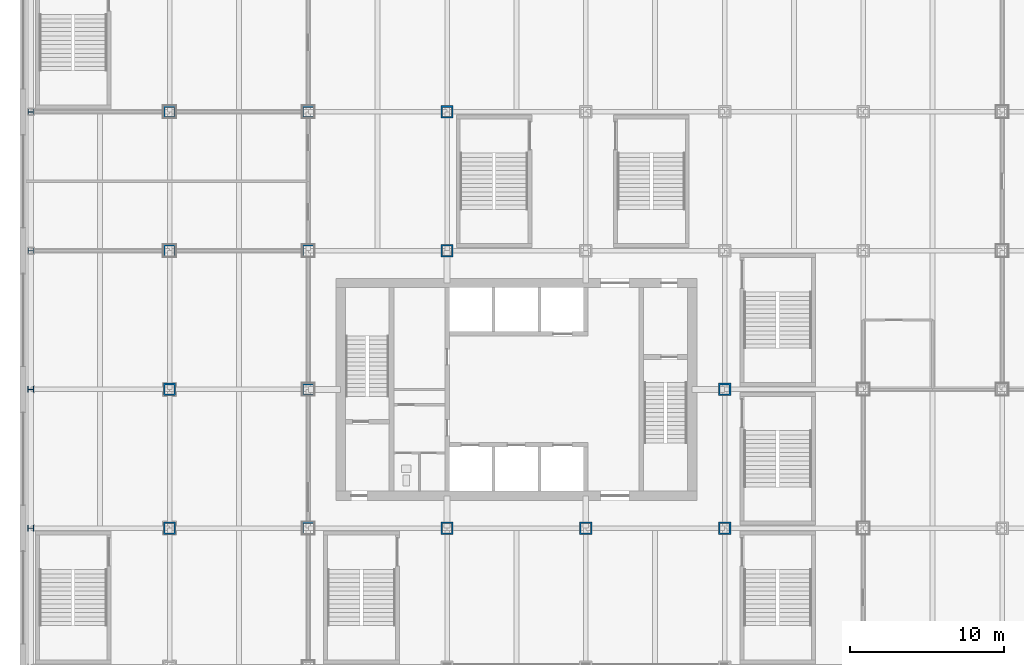
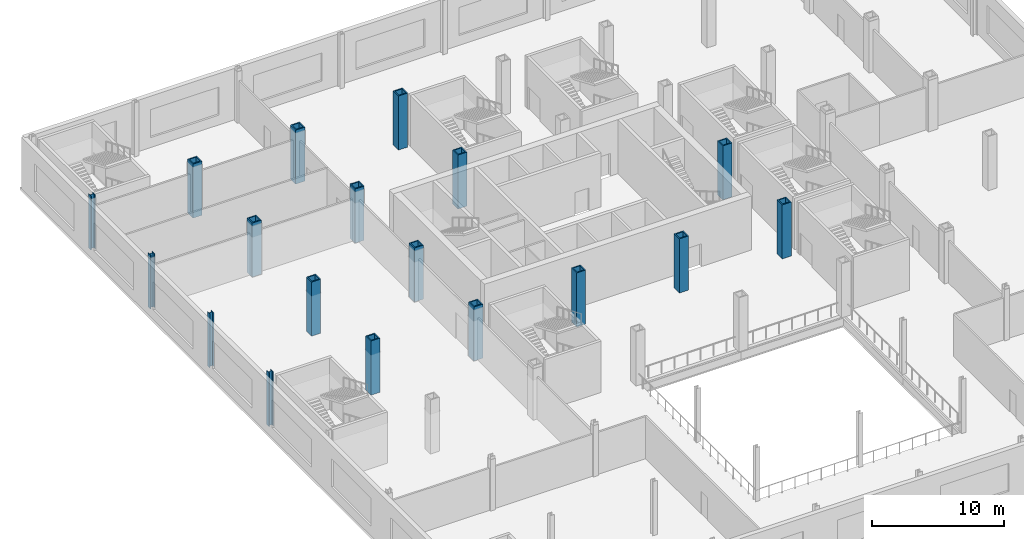
# One storey, part 3 of 28: 18 columns.
"""IFC4 building model written with IfcOpenShell, lengths in metres."""

from ifc_helpers import new_model, si_unit, direction, frame, origin, origin_2d, place, context, subcontext, project, spatial, hollow_rectangle, i_section, extrude, material, material_profile, profile_set, type_object, element, save


model = new_model("IFC4")

# Units and contexts
model_context = context("Model", 3, precision=1e-05, world=origin(), true_north=direction((0.0, 1.0)))
body_context = subcontext(model_context, "Body", "Model", "MODEL_VIEW")
ifc_project = project(units=[si_unit("LENGTHUNIT", "METRE"), si_unit("AREAUNIT", "SQUARE_METRE"), si_unit("VOLUMEUNIT", "CUBIC_METRE"), si_unit("PLANEANGLEUNIT", "RADIAN"), si_unit("MASSUNIT", "GRAM", prefix="KILO")], contexts=[model_context])

# Site, building, storey
site_placement = place(None, origin())
site = spatial("IfcSite", under=ifc_project, at=site_placement, CompositionType="ELEMENT")
building_placement = place(site_placement, origin())
building = spatial("IfcBuilding", under=site, at=building_placement, Name="Loomwork Tower", CompositionType="ELEMENT")
storey_placement = place(building_placement, frame((0.0, 0.0, 6.0)))
storey = spatial("IfcBuildingStorey", under=building, at=storey_placement, Name="L01", CompositionType="ELEMENT", Elevation=6.0)

# Columns
ifc_material_1 = material(Name="Steel ASTM A572 Grade 50 plate", Category="steel")
ifc_material_profile_1 = material_profile(ifc_material_1, hollow_rectangle(XDim=0.800048828125, YDim=0.800048828125, WallThickness=0.10009765625, at=origin_2d()), Name="BOX800x100")
ifc_profile_set_1 = profile_set([ifc_material_profile_1], Name="Steel ASTM A572 Grade 50 plate")
column_type_1 = type_object("IfcColumnType", Name="EXOSKELETON PIER BOX800x100", PredefinedType="COLUMN", material=ifc_profile_set_1)
for number, where, z_axis, x_axis, name in (
    (1, (0.0, 9.0, 0.0), (0.0, 0.0, 1.0), (0.0, 1.0, 0.0), "Exoskeleton Pier E/2 L01"),
    (2, (0.0, 18.0, 0.0), (0.0, 0.0, 1.0), (0.0, 1.0, 0.0), "Exoskeleton Pier F/2 L01"),
    (3, (0.0, 27.0, 0.0), (0.0, 0.0, 1.0), (0.0, 1.0, 0.0), "Exoskeleton Pier G/2 L01"),
    (4, (0.0, 36.0, 0.0), (0.0, 0.0, 1.0), (1.0, 0.0, 0.0), "Exoskeleton Pier H/2 L01"),
    (5, (9.0, 36.0, 0.0), (0.0, 0.0, 1.0), (1.0, 0.0, 0.0), "Exoskeleton Pier H/3 L01"),
    (6, (18.0, 36.0, 0.0), (0.0, 0.0, 1.0), (1.0, 0.0, 0.0), "Exoskeleton Pier H/4 L01"),
):
    element("IfcColumn", number, at=place(storey_placement, frame(where, z_axis=z_axis, x_axis=x_axis)), inside=storey, type_object=column_type_1, Name=name, PredefinedType="COLUMN", context=body_context, shape_type="SweptSolid", body=[
        extrude(hollow_rectangle(XDim=0.800048828125, YDim=0.800048828125, WallThickness=0.10009765625, at=origin_2d()), origin(), (0.0, 0.0, 1.0), 5.0),
    ])
ifc_material_2 = material(Name="Steel ASTM A992", Category="steel")
ifc_material_profile_2 = material_profile(ifc_material_2, i_section(OverallWidth=0.393798828125, OverallDepth=0.3759765625, WebThickness=0.017333984375, FlangeThickness=0.027587890625, at=origin_2d()), Name="W14x145")
ifc_profile_set_2 = profile_set([ifc_material_profile_2], Name="Steel ASTM A992")
column_type_2 = type_object("IfcColumnType", Name="PODIUM COLUMN W14x145", PredefinedType="COLUMN", material=ifc_profile_set_2)
for number, where, z_axis, x_axis, name in (
    (7, (-9.0, 9.0, 0.0), (0.0, 0.0, 1.0), (0.0, 1.0, 0.0), "Podium Column E/1 L01"),
    (8, (-9.0, 18.0, 0.0), (0.0, 0.0, 1.0), (0.0, 1.0, 0.0), "Podium Column F/1 L01"),
    (9, (-9.0, 27.0, 0.0), (0.0, 0.0, 1.0), (0.0, 1.0, 0.0), "Podium Column G/1 L01"),
    (10, (-9.0, 36.0, 0.0), (0.0, 0.0, 1.0), (0.0, 1.0, 0.0), "Podium Column H/1 L01"),
):
    element("IfcColumn", number, at=place(storey_placement, frame(where, z_axis=z_axis, x_axis=x_axis)), inside=storey, type_object=column_type_2, Name=name, PredefinedType="COLUMN", context=body_context, shape_type="SweptSolid", body=[
        extrude(i_section(OverallWidth=0.393798828125, OverallDepth=0.3759765625, WebThickness=0.017333984375, FlangeThickness=0.027587890625, at=origin_2d()), origin(), (0.0, 0.0, 1.0), 5.0),
    ])
ifc_material_3 = material(Name="Steel ASTM A572 Grade 50 plate", Category="steel")
ifc_material_profile_3 = material_profile(ifc_material_3, hollow_rectangle(XDim=0.800048828125, YDim=0.800048828125, WallThickness=0.10009765625, at=origin_2d()), Name="BOX800x100")
ifc_profile_set_3 = profile_set([ifc_material_profile_3], Name="Steel ASTM A572 Grade 50 plate")
column_type_3 = type_object("IfcColumnType", Name="TOWER COLUMN BOX800x100", PredefinedType="COLUMN", material=ifc_profile_set_3)
for number, where, z_axis, x_axis, name in (
    (11, (9.0, 9.0, 0.0), (0.0, 0.0, 1.0), (1.0, 0.0, 0.0), "Tower Column E/3 L01"),
    (12, (9.0, 18.0, 0.0), (0.0, 0.0, 1.0), (1.0, 0.0, 0.0), "Tower Column F/3 L01"),
    (13, (9.0, 27.0, 0.0), (0.0, 0.0, 1.0), (1.0, 0.0, 0.0), "Tower Column G/3 L01"),
    (14, (18.0, 9.0, 0.0), (0.0, 0.0, 1.0), (1.0, 0.0, 0.0), "Tower Column E/4 L01"),
    (15, (18.0, 27.0, 0.0), (0.0, 0.0, 1.0), (1.0, 0.0, 0.0), "Tower Column G/4 L01"),
    (16, (27.0, 9.0, 0.0), (0.0, 0.0, 1.0), (1.0, 0.0, 0.0), "Tower Column E/5 L01"),
    (17, (36.0, 9.0, 0.0), (0.0, 0.0, 1.0), (0.0, 1.0, 0.0), "Tower Column E/6 L01"),
    (18, (36.0, 18.0, 0.0), (0.0, 0.0, 1.0), (0.0, 1.0, 0.0), "Tower Column F/6 L01"),
):
    element("IfcColumn", number, at=place(storey_placement, frame(where, z_axis=z_axis, x_axis=x_axis)), inside=storey, type_object=column_type_3, Name=name, PredefinedType="COLUMN", context=body_context, shape_type="SweptSolid", body=[
        extrude(hollow_rectangle(XDim=0.800048828125, YDim=0.800048828125, WallThickness=0.10009765625, at=origin_2d()), origin(), (0.0, 0.0, 1.0), 5.0),
    ])

save(model, "model.ifc")
